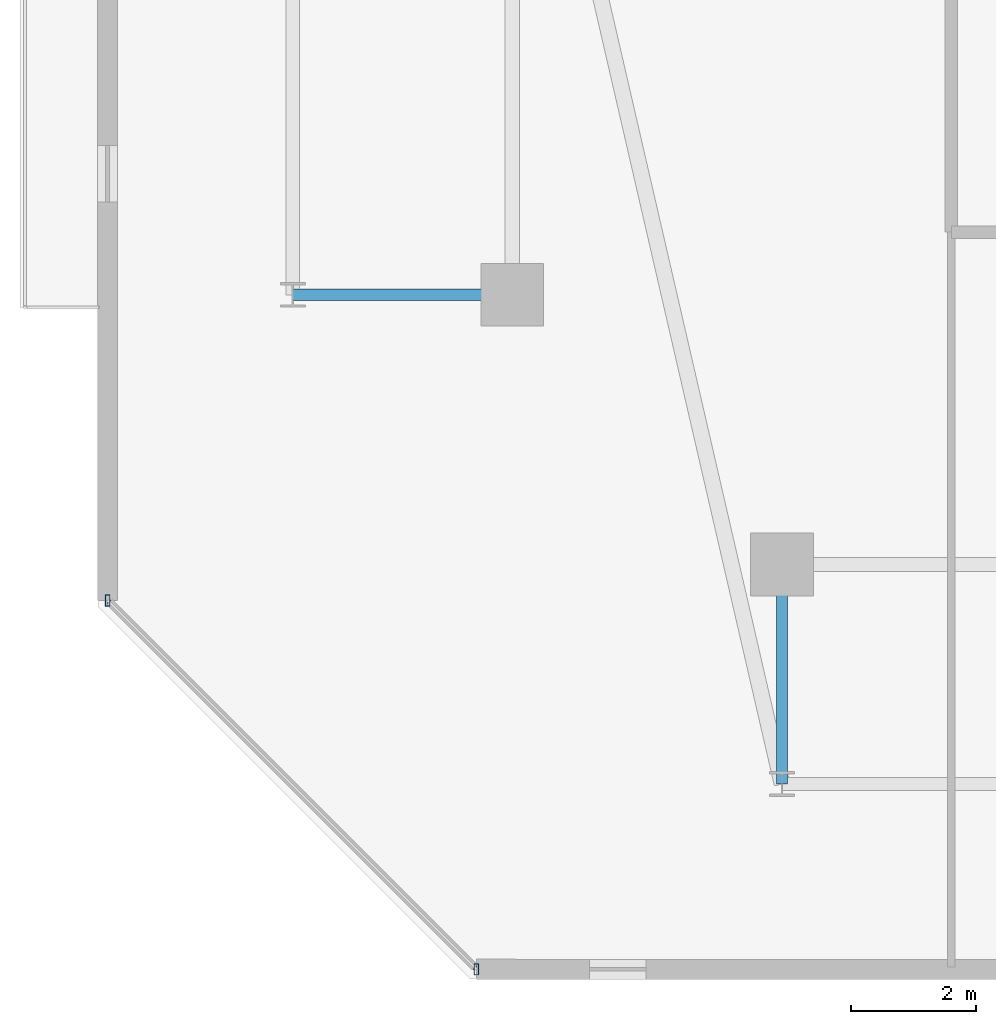
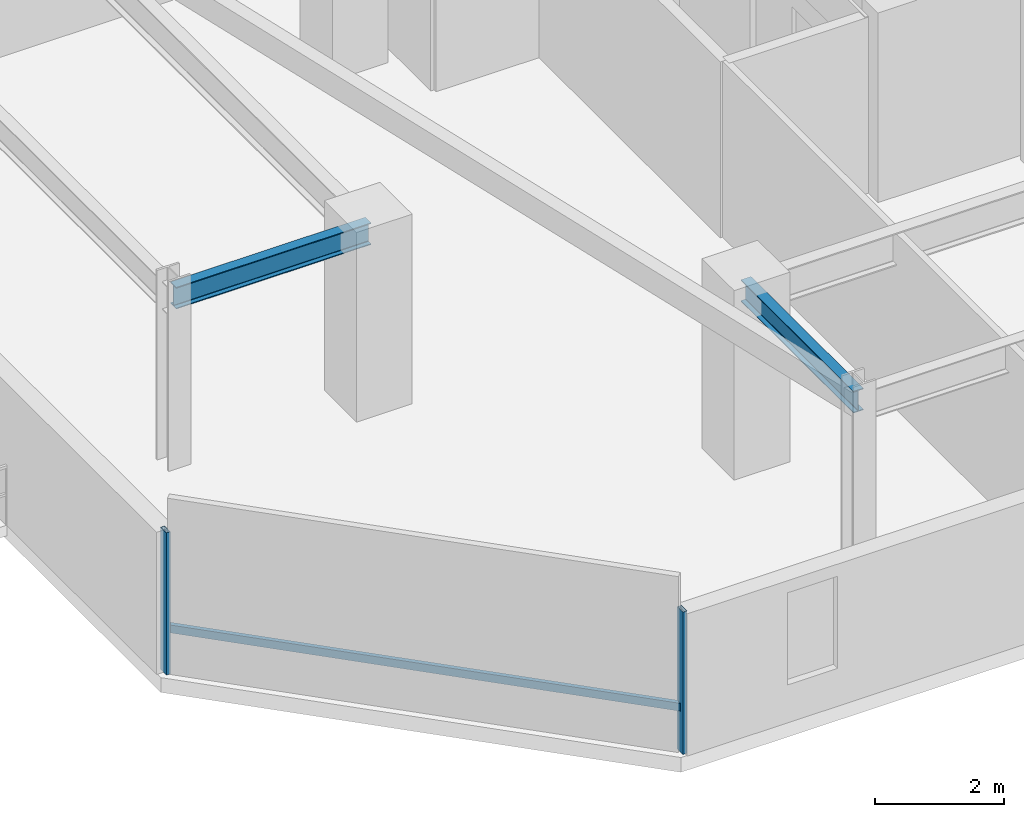
# One storey, part 3 of 31: 3 members, 2 beams, 1 element without a shape of its own.
"""IFC4 building model written with IfcOpenShell, lengths in metres."""

from ifc_helpers import new_model, si_unit, direction, frame, origin, origin_2d, place, context, subcontext, project, spatial, hollow_rectangle, i_section, extrude, material, material_profile, profile_set, type_object, element, aggregate, save


model = new_model("IFC4")

# Units and contexts
model_context = context("Model", 3, precision=1e-05, world=origin(), true_north=direction((0.0, 1.0)))
body_context = subcontext(model_context, "Body", "Model", "MODEL_VIEW")
ifc_project = project(units=[si_unit("LENGTHUNIT", "METRE"), si_unit("AREAUNIT", "SQUARE_METRE"), si_unit("VOLUMEUNIT", "CUBIC_METRE"), si_unit("PLANEANGLEUNIT", "RADIAN"), si_unit("MASSUNIT", "GRAM", prefix="KILO")], contexts=[model_context])

# Site, building, storey
site_placement = place(None, origin())
site = spatial("IfcSite", under=ifc_project, at=site_placement, CompositionType="ELEMENT")
building_placement = place(site_placement, origin())
building = spatial("IfcBuilding", under=site, at=building_placement, Name="Thornwick Lancets Civic Towers", CompositionType="ELEMENT")
storey_placement = place(building_placement, frame((0.0, 0.0, 233.10009765625)))
storey = spatial("IfcBuildingStorey", under=building, at=storey_placement, Name="L62", CompositionType="ELEMENT", Elevation=233.10009765625)

# Beams
ifc_material_1 = material(Name="Steel S355JR", Category="steel")
ifc_material_profile_1 = material_profile(ifc_material_1, i_section(OverallWidth=0.179443359375, OverallDepth=0.412841796875, WebThickness=0.009521484375, FlangeThickness=0.01611328125, FilletRadius=0.01025390625, at=origin_2d()), Name="UKB 406x178x74")
ifc_profile_set_1 = profile_set([ifc_material_profile_1], Name="Steel S355JR")
beam_type = type_object("IfcBeamType", Name="BM_JOIST_406_74", PredefinedType="JOIST", material=ifc_profile_set_1)
for number, where, z_axis, x_axis, name in (
    (1, (12.5, 9.699951171875, 3.153564453125), (0.0, -1.0, 0.0), (1.0, 0.0, 0.0), "BM-RAD-L62-A01"),
    (2, (8.199951171875, 14.0, 3.153564453125), (-1.0, 0.0, 0.0), (0.0, -1.0, 0.0), "BM-RAD-L62-A10"),
):
    element("IfcBeam", number, at=place(storey_placement, frame(where, z_axis=z_axis, x_axis=x_axis)), inside=storey, type_object=beam_type, Name=name, PredefinedType="JOIST", context=body_context, shape_type="SweptSolid", body=[
        extrude(i_section(OverallWidth=0.179443359375, OverallDepth=0.412841796875, WebThickness=0.009521484375, FlangeThickness=0.01611328125, FilletRadius=0.01025390625, at=origin_2d()), origin(), (0.0, 0.0, 1.0), 3.5),
    ])

# Curtain wall, members
ifc_material_2 = material(Name="High-zone chamfered-corner unitised glass curtain wall", Category="glass")
curtain_wall_type = type_object("IfcCurtainWallType", Name="CW_SYS_05", PredefinedType="NOTDEFINED", material=ifc_material_2)
curtain_wall_placement = place(storey_placement, origin())
curtain_wall = element("IfcCurtainWall", 3, at=curtain_wall_placement, inside=storey, type_object=curtain_wall_type, Name="L62 Curtain Wall CW-L62-A-E7", PredefinedType="NOTDEFINED")
ifc_material_3 = material(Name="Thermally broken bronze aluminium S355", Category="steel")
ifc_material_profile_2 = material_profile(ifc_material_3, hollow_rectangle(XDim=0.074951171875, YDim=0.179931640625, WallThickness=0.006103515625, at=origin_2d()), Name="RHS 180x75x6")
ifc_profile_set_2 = profile_set([ifc_material_profile_2], Name="Thermally broken bronze aluminium S355")
member_type_1 = type_object("IfcMemberType", Name="CW_MUL_180", PredefinedType="MULLION", material=ifc_profile_set_2)
member_1_placement = place(storey_placement, frame((1.746337890625, 9.127685546875, 0.0), z_axis=(0.0, 0.0, 1.0), x_axis=(1.0, 0.0, 0.0)))
member_1 = element("IfcMember", 4, at=member_1_placement, type_object=member_type_1, Name="CW-L62-A-E7 Mullion 0", PredefinedType="MULLION", context=body_context, shape_type="SweptSolid", body=[
    extrude(hollow_rectangle(XDim=0.074951171875, YDim=0.179931640625, WallThickness=0.006103515625, at=origin_2d()), origin(), (0.0, 0.0, 1.0), 2.699951171875),
])
member_2_placement = place(storey_placement, frame((7.627685546875, 3.246337890625, 0.0), z_axis=(0.0, 0.0, 1.0), x_axis=(1.0, 0.0, 0.0)))
member_2 = element("IfcMember", 5, at=member_2_placement, type_object=member_type_1, Name="CW-L62-A-E7 Mullion 1", PredefinedType="MULLION", context=body_context, shape_type="SweptSolid", body=[
    extrude(hollow_rectangle(XDim=0.074951171875, YDim=0.179931640625, WallThickness=0.006103515625, at=origin_2d()), origin(), (0.0, 0.0, 1.0), 2.699951171875),
])
ifc_material_profile_3 = material_profile(ifc_material_3, hollow_rectangle(XDim=0.074951171875, YDim=0.14990234375, WallThickness=0.0048828125, at=origin_2d()), Name="RHS 150x75x5")
ifc_profile_set_3 = profile_set([ifc_material_profile_3], Name="Thermally broken bronze aluminium S355")
member_type_2 = type_object("IfcMemberType", Name="CW_TRN_150", PredefinedType="USERDEFINED", material=ifc_profile_set_3)
member_3_placement = place(storey_placement, frame((1.760498046875, 9.11376953125, 0.849853515625), z_axis=(0.707106781187, -0.707106781187, 0.0), x_axis=(0.707106781187, 0.707106781187, 0.0)))
member_3 = element("IfcMember", 6, at=member_3_placement, type_object=member_type_2, Name="CW-L62-A-E7 Transom 0", ObjectType="TRANSOM", PredefinedType="USERDEFINED", context=body_context, shape_type="SweptSolid", body=[
    extrude(hollow_rectangle(XDim=0.074951171875, YDim=0.14990234375, WallThickness=0.0048828125, at=origin_2d()), origin(), (0.0, 0.0, 1.0), 8.27783203125),
])
aggregate(curtain_wall, [member_1, member_2, member_3])

save(model, "model.ifc")
